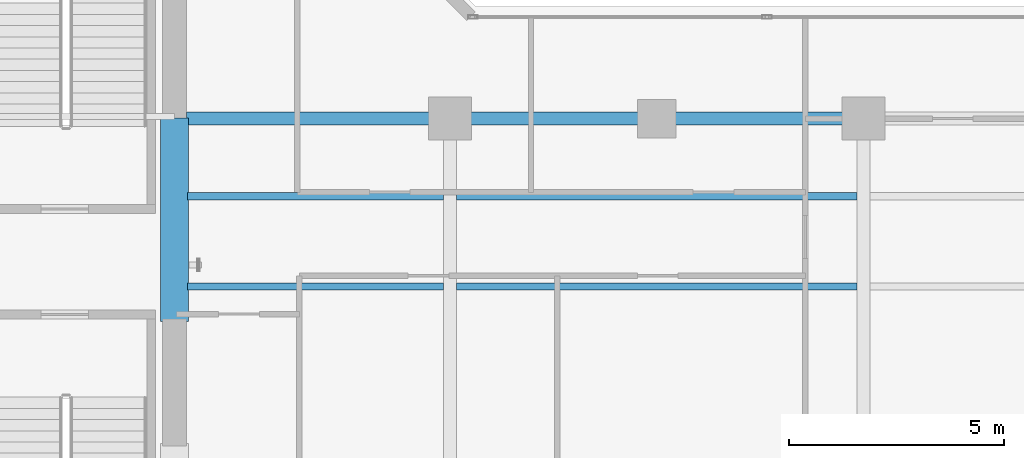
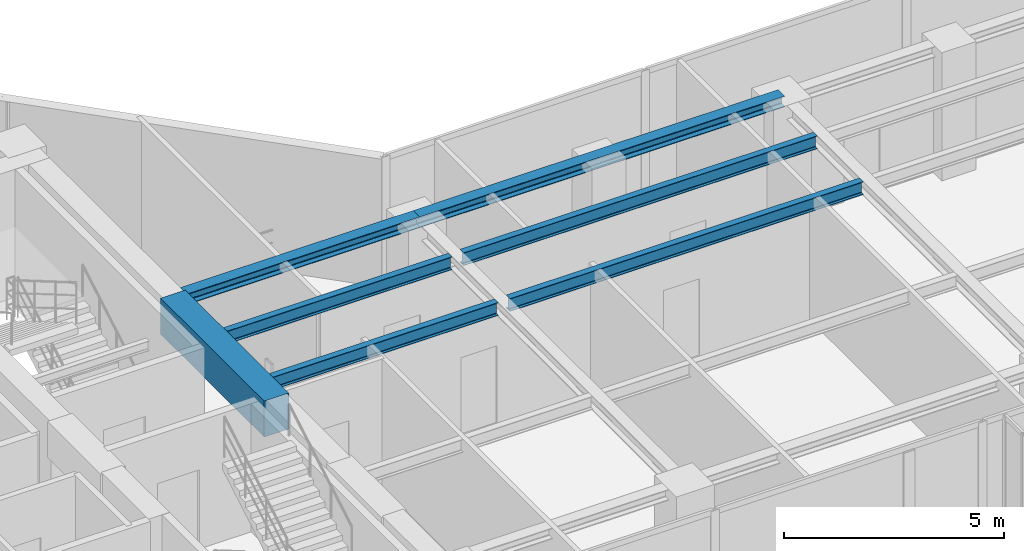
# One storey, part 6 of 25: 7 beams.
"""IFC4 building model written with IfcOpenShell, lengths in metres."""

from ifc_helpers import new_model, si_unit, direction, frame, origin, origin_2d, place, context, subcontext, project, spatial, rectangle, i_section, extrude, material, material_profile, profile_set, type_object, element, save


model = new_model("IFC4")

# Units and contexts
model_context = context("Model", 3, precision=1e-05, world=origin(), true_north=direction((0.0, 1.0)))
body_context = subcontext(model_context, "Body", "Model", "MODEL_VIEW")
ifc_project = project(units=[si_unit("LENGTHUNIT", "METRE"), si_unit("AREAUNIT", "SQUARE_METRE"), si_unit("VOLUMEUNIT", "CUBIC_METRE"), si_unit("PLANEANGLEUNIT", "RADIAN"), si_unit("MASSUNIT", "GRAM", prefix="KILO")], contexts=[model_context])

# Site, building, storey
site_placement = place(None, origin())
site = spatial("IfcSite", under=ifc_project, at=site_placement, CompositionType="ELEMENT")
building_placement = place(site_placement, origin())
building = spatial("IfcBuilding", under=site, at=building_placement, Name="Kolvaren Waterfront Exchange", CompositionType="ELEMENT")
storey_placement = place(building_placement, frame((0.0, 0.0, 223.5)))
storey = spatial("IfcBuildingStorey", under=building, at=storey_placement, Name="L57", CompositionType="ELEMENT", Elevation=223.5)

# Beams
ifc_material_1 = material(Name="Steel S355", Category="steel")
ifc_material_profile_1 = material_profile(ifc_material_1, i_section(OverallWidth=0.300048828125, OverallDepth=0.300048828125, WebThickness=0.010986328125, FlangeThickness=0.01904296875, FilletRadius=0.027099609375, at=origin_2d()), Name="HEB300")
ifc_profile_set_1 = profile_set([ifc_material_profile_1], Name="Steel S355")
beam_type_1 = type_object("IfcBeamType", Name="STR-BM-HEB300", PredefinedType="SPANDREL", material=ifc_profile_set_1)
beam_1_placement = place(storey_placement, frame((21.074951171875, 17.39990234375, 3.409912109375), z_axis=(1.0, 0.0, 0.0), x_axis=(0.0, 1.0, 0.0)))
element("IfcBeam", 1, at=beam_1_placement, inside=storey, type_object=beam_type_1, Name="L57 east-arm spandrel N1", PredefinedType="SPANDREL", context=body_context, shape_type="SweptSolid", body=[
    extrude(i_section(OverallWidth=0.300048828125, OverallDepth=0.300048828125, WebThickness=0.010986328125, FlangeThickness=0.01904296875, FilletRadius=0.027099609375, at=origin_2d()), origin(), (0.0, 0.0, 1.0), 6.125),
])
beam_2_placement = place(storey_placement, frame((27.199951171875, 17.39990234375, 3.409912109375), z_axis=(1.0, 0.0, 0.0), x_axis=(0.0, 1.0, 0.0)))
element("IfcBeam", 2, at=beam_2_placement, inside=storey, type_object=beam_type_1, Name="L57 east-arm spandrel N2", PredefinedType="SPANDREL", context=body_context, shape_type="SweptSolid", body=[
    extrude(i_section(OverallWidth=0.300048828125, OverallDepth=0.300048828125, WebThickness=0.010986328125, FlangeThickness=0.01904296875, FilletRadius=0.027099609375, at=origin_2d()), origin(), (0.0, 0.0, 1.0), 9.60009765625),
])
ifc_material_profile_2 = material_profile(ifc_material_1, i_section(OverallWidth=0.169921875, OverallDepth=0.360107421875, WebThickness=0.008056640625, FlangeThickness=0.0126953125, FilletRadius=0.01806640625, at=origin_2d()), Name="IPE360")
ifc_profile_set_2 = profile_set([ifc_material_profile_2], Name="Steel S355")
beam_type_2 = type_object("IfcBeamType", Name="STR-BM-IPE360", PredefinedType="JOIST", material=ifc_profile_set_2)
for number, where, z_axis, x_axis, name in (
    (3, (21.10009765625, 13.5, 3.3798828125), (1.0, 0.0, 0.0), (0.0, 1.0, 0.0), "L57 east-arm composite joist 1A"),
    (4, (21.10009765625, 15.60009765625, 3.3798828125), (1.0, 0.0, 0.0), (0.0, 1.0, 0.0), "L57 east-arm composite joist 1C"),
):
    element("IfcBeam", number, at=place(storey_placement, frame(where, z_axis=z_axis, x_axis=x_axis)), inside=storey, type_object=beam_type_2, Name=name, PredefinedType="JOIST", context=body_context, shape_type="SweptSolid", body=[
        extrude(i_section(OverallWidth=0.169921875, OverallDepth=0.360107421875, WebThickness=0.008056640625, FlangeThickness=0.0126953125, FilletRadius=0.01806640625, at=origin_2d()), origin(), (0.0, 0.0, 1.0), 5.947998046875),
    ])
for number, where, z_axis, x_axis, name in (
    (5, (27.35205078125, 13.5, 3.3798828125), (1.0, 0.0, 0.0), (0.0, 1.0, 0.0), "L57 east-arm composite joist 2A"),
    (6, (27.35205078125, 15.60009765625, 3.3798828125), (1.0, 0.0, 0.0), (0.0, 1.0, 0.0), "L57 east-arm composite joist 2C"),
):
    element("IfcBeam", number, at=place(storey_placement, frame(where, z_axis=z_axis, x_axis=x_axis)), inside=storey, type_object=beam_type_2, Name=name, PredefinedType="JOIST", context=body_context, shape_type="SweptSolid", body=[
        extrude(i_section(OverallWidth=0.169921875, OverallDepth=0.360107421875, WebThickness=0.008056640625, FlangeThickness=0.0126953125, FilletRadius=0.01806640625, at=origin_2d()), origin(), (0.0, 0.0, 1.0), 9.2958984375),
    ])
ifc_material_2 = material(Name="Concrete C60/75", Category="concrete")
ifc_material_profile_3 = material_profile(ifc_material_2, rectangle(XDim=0.64990234375, YDim=1.0, at=origin_2d()), Name="RC-CB-1000x650")
ifc_profile_set_3 = profile_set([ifc_material_profile_3], Name="Concrete C60/75")
beam_type_3 = type_object("IfcBeamType", Name="STR-CB-1000", PredefinedType="SPANDREL", material=ifc_profile_set_3)
beam_3_placement = place(storey_placement, frame((20.800048828125, 12.68994140625, 3.06005859375), z_axis=(0.0, 1.0, 0.0), x_axis=(-1.0, 0.0, 0.0)))
element("IfcBeam", 7, at=beam_3_placement, inside=storey, type_object=beam_type_3, Name="L57 core coupling beam 2", PredefinedType="SPANDREL", context=body_context, shape_type="SweptSolid", body=[
    extrude(rectangle(XDim=0.64990234375, YDim=1.0, at=origin_2d()), origin(), (0.0, 0.0, 1.0), 4.719970703125),
])

save(model, "model.ifc")
